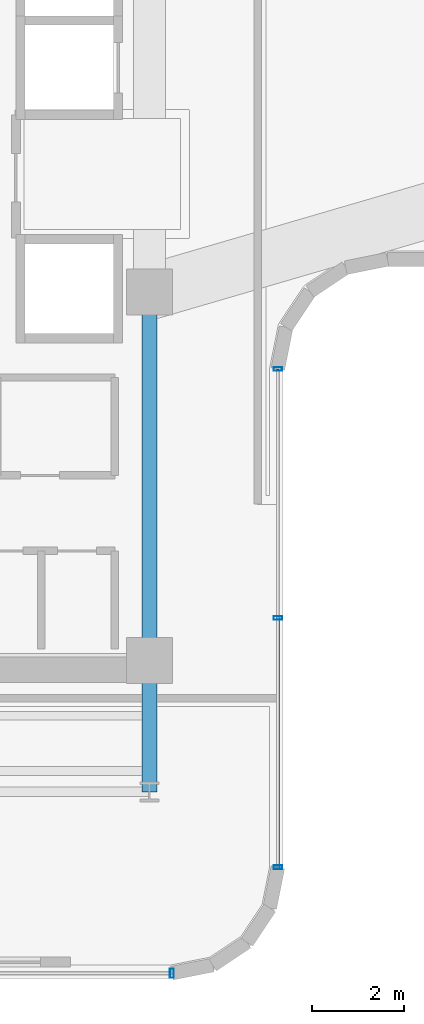
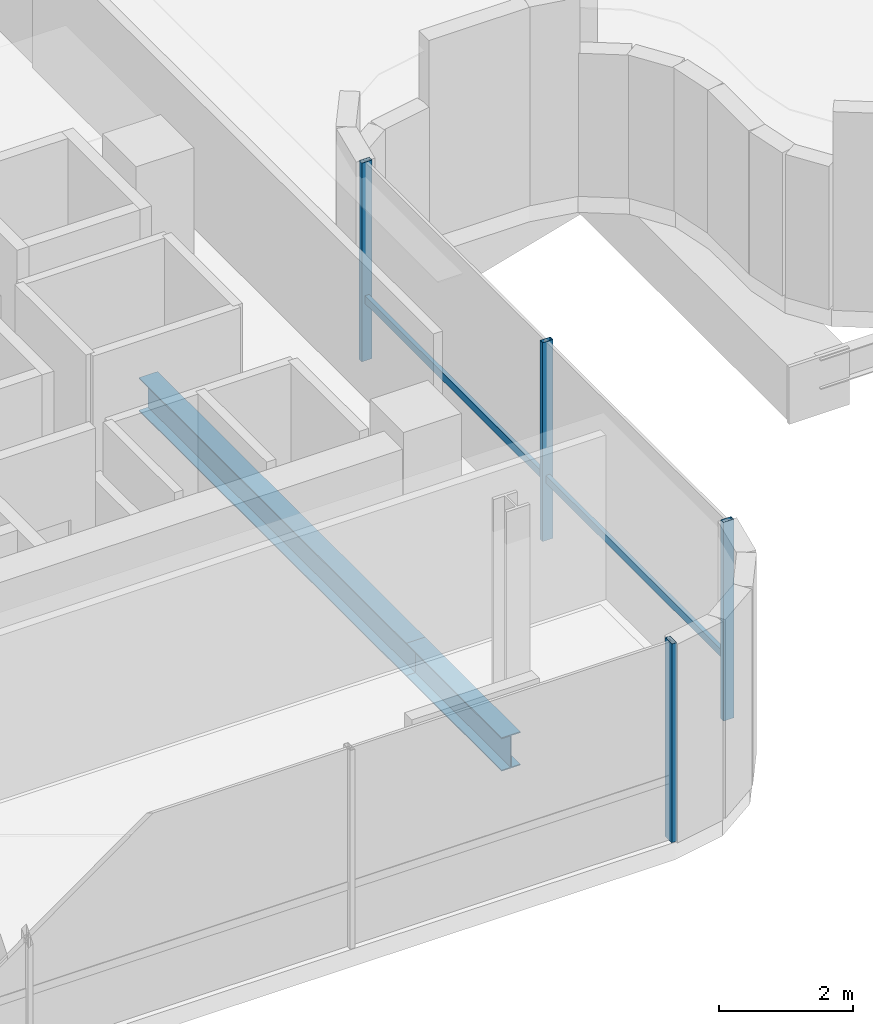
# One storey, part 5 of 36: 5 members, 2 beams, 2 elements without a shape of their own.
"""IFC4 building model written with IfcOpenShell, lengths in metres."""

from ifc_helpers import new_model, si_unit, direction, frame, origin, origin_2d, place, context, subcontext, project, spatial, hollow_rectangle, i_section, extrude, source, transform, mapped, material, material_profile, profile_set, type_object, element, aggregate, save


model = new_model("IFC4")

# Units and contexts
model_context = context("Model", 3, precision=1e-05, world=origin(), true_north=direction((0.0, 1.0)))
body_context = subcontext(model_context, "Body", "Model", "MODEL_VIEW")
ifc_project = project(units=[si_unit("LENGTHUNIT", "METRE"), si_unit("AREAUNIT", "SQUARE_METRE"), si_unit("VOLUMEUNIT", "CUBIC_METRE"), si_unit("PLANEANGLEUNIT", "RADIAN"), si_unit("MASSUNIT", "GRAM", prefix="KILO")], contexts=[model_context])

# Site, building, storey
site_placement = place(None, origin())
site = spatial("IfcSite", under=ifc_project, at=site_placement, CompositionType="ELEMENT")
building_placement = place(site_placement, origin())
building = spatial("IfcBuilding", under=site, at=building_placement, Name="Valdorenza Pilgrim Sanctuary Tower", CompositionType="ELEMENT")
storey_placement = place(building_placement, frame((0.0, 0.0, 176.550048828125)))
storey = spatial("IfcBuildingStorey", under=building, at=storey_placement, Name="L45", CompositionType="ELEMENT", Elevation=176.550048828125)

# Beams
ifc_material_1 = material(Name="Steel ASTM A992 Grade 50", Category="steel")
ifc_material_profile_1 = material_profile(ifc_material_1, i_section(OverallWidth=0.323974609375, OverallDepth=0.611083984375, WebThickness=0.0126953125, FlangeThickness=0.01904296875, at=origin_2d()), Name="W24X104")
ifc_profile_set_1 = profile_set([ifc_material_profile_1], Name="Steel ASTM A992 Grade 50")
beam_type = type_object("IfcBeamType", Name="STR-BM-GRD-W24B", PredefinedType="BEAM", material=ifc_profile_set_1)
shared_shape_1 = source(origin(), body_context, "Body", "SweptSolid", [
    extrude(i_section(OverallWidth=0.323974609375, OverallDepth=0.611083984375, WebThickness=0.0126953125, FlangeThickness=0.01904296875, at=origin_2d()), origin(), (0.0, 0.0, 1.0), 8.0),
])
beam_1_placement = place(storey_placement, frame((-12.39990234375, -10.60009765625, -0.62548828125), z_axis=(0.0, 1.0, 0.0), x_axis=(-1.0, 0.0, 0.0)))
element("IfcBeam", 1, at=beam_1_placement, inside=storey, type_object=beam_type, Name="L45 Core Tie Girder CA-E-S1M0", PredefinedType="BEAM", context=body_context, shape_type="MappedRepresentation", body=[
    mapped(shared_shape_1, transform((0.0, 0.0, 0.0), x_axis=(1.0, 0.0, 0.0), y_axis=(0.0, 1.0, 0.0), z_axis=(0.0, 0.0, 1.0), scale=1.0)),
])
shared_shape_2 = source(origin(), body_context, "Body", "SweptSolid", [
    extrude(i_section(OverallWidth=0.323974609375, OverallDepth=0.611083984375, WebThickness=0.0126953125, FlangeThickness=0.01904296875, at=origin_2d()), origin(), (0.0, 0.0, 1.0), 2.849853515625),
])
beam_2_placement = place(storey_placement, frame((-12.39990234375, -13.449951171875, -0.62548828125), z_axis=(0.0, 1.0, 0.0), x_axis=(-1.0, 0.0, 0.0)))
element("IfcBeam", 2, at=beam_2_placement, inside=storey, type_object=beam_type, Name="L45 Floor Girder WA-S-LE", PredefinedType="BEAM", context=body_context, shape_type="MappedRepresentation", body=[
    mapped(shared_shape_2, transform((0.0, 0.0, 0.0), x_axis=(1.0, 0.0, 0.0), y_axis=(0.0, 1.0, 0.0), z_axis=(0.0, 0.0, 1.0), scale=1.0)),
])

# Curtain wall, member
ifc_material_2 = material(Name="Curtain-wall IGU glazing", Category="glass")
curtain_wall_type_1 = type_object("IfcCurtainWallType", Name="CW-SYS-05", PredefinedType="NOTDEFINED", material=ifc_material_2)
curtain_wall_1_placement = place(storey_placement, origin())
curtain_wall_1 = element("IfcCurtainWall", 3, at=curtain_wall_1_placement, inside=storey, type_object=curtain_wall_type_1, Name="L45 Curtain Wall CW-L45-1-77", PredefinedType="NOTDEFINED")
ifc_material_3 = material(Name="Anodised aluminium AW-6060", Category="aluminium")
ifc_material_profile_2 = material_profile(ifc_material_3, hollow_rectangle(XDim=0.070068359375, YDim=0.139892578125, WallThickness=0.00341796875, at=origin_2d()), Name="ALU-T 140x70x3.5")
ifc_profile_set_2 = profile_set([ifc_material_profile_2], Name="Anodised aluminium AW-6060")
member_type_1 = type_object("IfcMemberType", Name="CW-TRN-05", PredefinedType="USERDEFINED", material=ifc_profile_set_2)
shared_shape_3 = source(origin(), body_context, "Body", "SweptSolid", [
    extrude(hollow_rectangle(XDim=0.070068359375, YDim=0.139892578125, WallThickness=0.00341796875, at=origin_2d()), origin(), (0.0, 0.0, 1.0), 10.81982421875),
])
member_1_placement = place(storey_placement, frame((-9.610107421875, -4.269287109375, 1.119873046875), z_axis=(0.0, -1.0, 0.0), x_axis=(1.0, 0.0, 0.0)))
member_1 = element("IfcMember", 4, at=member_1_placement, type_object=member_type_1, Name="CW-L45-1-77 Transom 1", ObjectType="TRANSOM", PredefinedType="USERDEFINED", context=body_context, shape_type="MappedRepresentation", body=[
    mapped(shared_shape_3, transform((0.0, 0.0, 0.0), x_axis=(1.0, 0.0, 0.0), y_axis=(0.0, 1.0, 0.0), z_axis=(0.0, 0.0, 1.0), scale=1.0)),
])

curtain_wall_type_2 = type_object("IfcCurtainWallType", Name="CW-SYS-02", PredefinedType="NOTDEFINED", material=ifc_material_2)
curtain_wall_2_placement = place(storey_placement, origin())
curtain_wall_2 = element("IfcCurtainWall", 5, at=curtain_wall_2_placement, inside=storey, type_object=curtain_wall_type_2, Name="L45 Curtain Wall CW-L45-1-82", PredefinedType="NOTDEFINED")
ifc_material_profile_3 = material_profile(ifc_material_3, hollow_rectangle(XDim=0.0849609375, YDim=0.199951171875, WallThickness=0.0048828125, at=origin_2d()), Name="ALU-M 200x85x5")
ifc_profile_set_3 = profile_set([ifc_material_profile_3], Name="Anodised aluminium AW-6060")
member_type_2 = type_object("IfcMemberType", Name="CW-MUL-02", PredefinedType="MULLION", material=ifc_profile_set_3)
shared_shape_4 = source(origin(), body_context, "Body", "SweptSolid", [
    extrude(hollow_rectangle(XDim=0.0849609375, YDim=0.199951171875, WallThickness=0.0048828125, at=origin_2d()), origin(), (0.0, 0.0, 1.0), 3.6298828125),
])
member_2_placement = place(storey_placement, frame((-11.910888671875, -17.389892578125, 0.0), z_axis=(0.0, 0.0, 1.0), x_axis=(-1.0, 0.0, 0.0)))
member_2 = element("IfcMember", 6, at=member_2_placement, type_object=member_type_2, Name="CW-L45-1-82 Mullion 1", PredefinedType="MULLION", context=body_context, shape_type="MappedRepresentation", body=[
    mapped(shared_shape_4, transform((0.0, 0.0, 0.0), x_axis=(1.0, 0.0, 0.0), y_axis=(0.0, 1.0, 0.0), z_axis=(0.0, 0.0, 1.0), scale=1.0)),
])
aggregate(curtain_wall_2, [member_2])

# Member
ifc_material_profile_4 = material_profile(ifc_material_3, hollow_rectangle(XDim=0.080078125, YDim=0.179931640625, WallThickness=0.00439453125, at=origin_2d()), Name="ALU-M 180x80x4.5")
ifc_profile_set_4 = profile_set([ifc_material_profile_4], Name="Anodised aluminium AW-6060")
member_type_3 = type_object("IfcMemberType", Name="CW-MUL-05", PredefinedType="MULLION", material=ifc_profile_set_4)
shared_shape_5 = source(origin(), body_context, "Body", "SweptSolid", [
    extrude(hollow_rectangle(XDim=0.080078125, YDim=0.179931640625, WallThickness=0.00439453125, at=origin_2d()), origin(), (0.0, 0.0, 1.0), 3.6298828125),
])
member_3_placement = place(storey_placement, frame((-9.610107421875, -4.269287109375, 0.0), z_axis=(0.0, 0.0, 1.0), x_axis=(0.0, -1.0, 0.0)))
member_3 = element("IfcMember", 7, at=member_3_placement, type_object=member_type_3, Name="CW-L45-1-77 Mullion 1", PredefinedType="MULLION", context=body_context, shape_type="MappedRepresentation", body=[
    mapped(shared_shape_5, transform((0.0, 0.0, 0.0), x_axis=(1.0, 0.0, 0.0), y_axis=(0.0, 1.0, 0.0), z_axis=(0.0, 0.0, 1.0), scale=1.0)),
])

member_4_placement = place(storey_placement, frame((-9.610107421875, -9.67919921875, 0.0), z_axis=(0.0, 0.0, 1.0), x_axis=(0.0, -1.0, 0.0)))
member_4 = element("IfcMember", 8, at=member_4_placement, type_object=member_type_3, Name="CW-L45-1-77 Mullion 2", PredefinedType="MULLION", context=body_context, shape_type="MappedRepresentation", body=[
    mapped(shared_shape_5, transform((0.0, 0.0, 0.0), x_axis=(1.0, 0.0, 0.0), y_axis=(0.0, 1.0, 0.0), z_axis=(0.0, 0.0, 1.0), scale=1.0)),
])

member_5_placement = place(storey_placement, frame((-9.610107421875, -15.089111328125, 0.0), z_axis=(0.0, 0.0, 1.0), x_axis=(0.0, -1.0, 0.0)))
member_5 = element("IfcMember", 9, at=member_5_placement, type_object=member_type_3, Name="CW-L45-1-77 Mullion 3", PredefinedType="MULLION", context=body_context, shape_type="MappedRepresentation", body=[
    mapped(shared_shape_5, transform((0.0, 0.0, 0.0), x_axis=(1.0, 0.0, 0.0), y_axis=(0.0, 1.0, 0.0), z_axis=(0.0, 0.0, 1.0), scale=1.0)),
])

aggregate(curtain_wall_1, [member_3, member_4, member_5, member_1])

save(model, "model.ifc")
